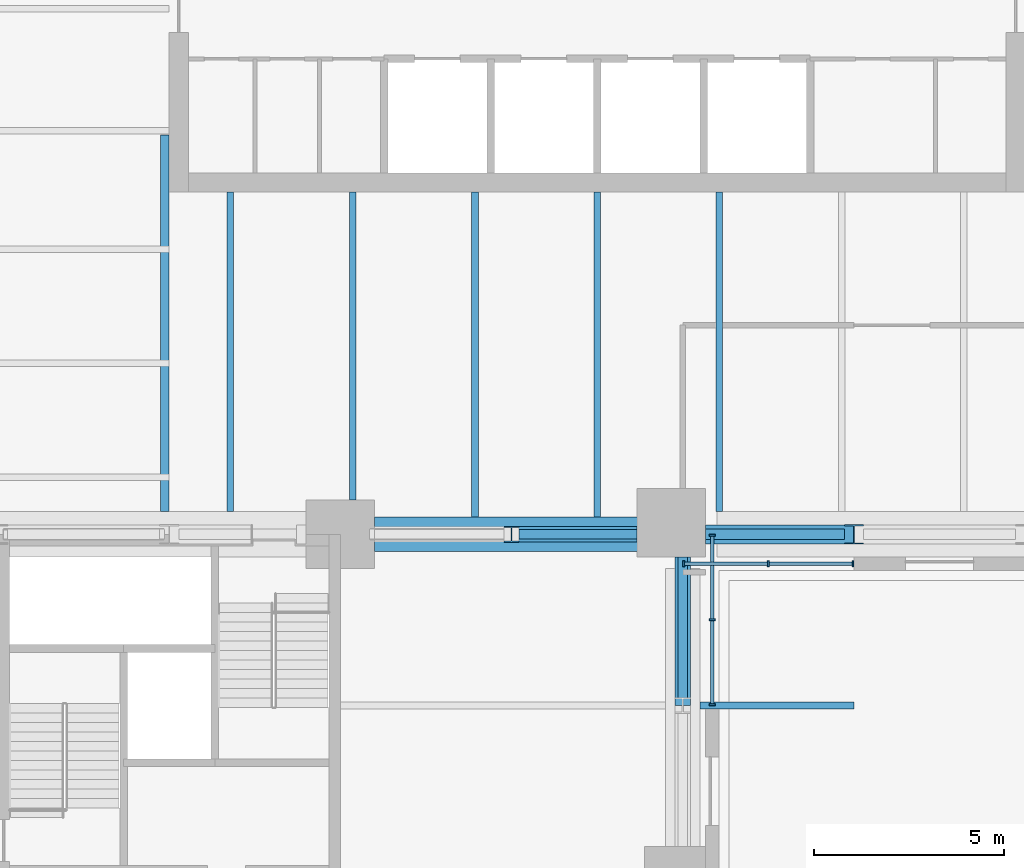
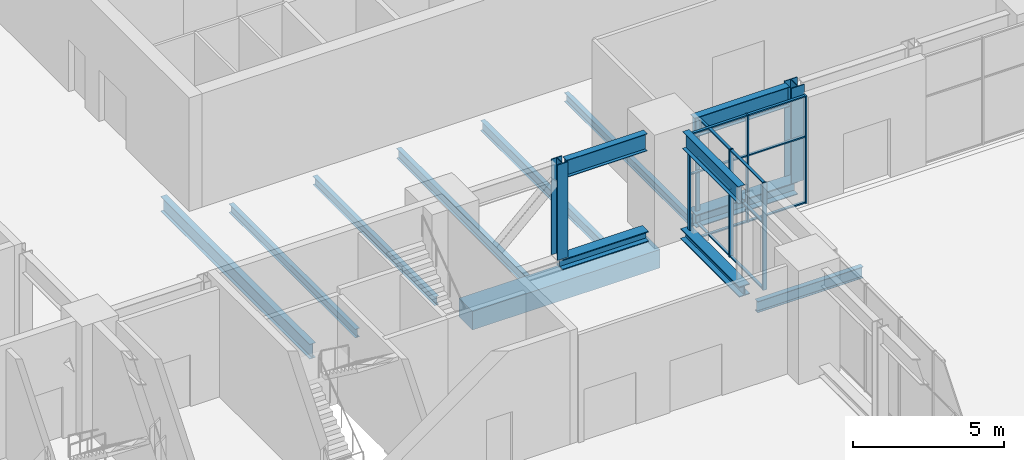
# One storey, part 6 of 21: 23 members, 11 beams, 2 elements without a shape of their own.
"""IFC4 building model written with IfcOpenShell, lengths in metres."""

import ifcopenshell
import ifcopenshell.guid

model = None  # the IFC model being written
_history = None  # IfcOwnerHistory: only IFC2X3 demands one
_inside = {}  # id of a spatial element -> (the spatial element, [elements in it])
_under = {}  # id of a project, library or spatial element -> (it, [spatial elements below it])
_declared = {}  # id of a project -> (the project, [libraries it declares])
_typed = {}  # id of a type object -> (the type object, [elements of that type])
_made_of = {}  # id of a material, layer set ... -> (it, [elements and type objects made of it])


def new_model(schema):
    """Start an empty IFC model of exactly this schema.

    Asked for "IFC4X3", IfcOpenShell would pick the latest addendum, in which some entities
    have other attributes; the version numbers below select the first issue.
    IFC2X3 requires an IfcOwnerHistory on every rooted entity: one is made here for all.
    """
    global model, _history
    if schema == "IFC4X3":
        model = ifcopenshell.file(schema_version=(4, 3, 0, 0))
    else:
        model = ifcopenshell.file(schema=schema)
    _inside.clear()
    _under.clear()
    _declared.clear()
    _typed.clear()
    _made_of.clear()
    _history = None
    if model.schema == "IFC2X3":
        org = make("IfcOrganization", Name="unknown")
        user = make(
            "IfcPersonAndOrganization",
            ThePerson=make("IfcPerson", FamilyName="unknown"),
            TheOrganization=org,
        )
        app = make(
            "IfcApplication",
            ApplicationDeveloper=org,
            Version="unknown",
            ApplicationFullName="unknown",
            ApplicationIdentifier="unknown",
        )
        _history = make(
            "IfcOwnerHistory",
            OwningUser=user,
            OwningApplication=app,
            ChangeAction="ADDED",
            CreationDate=0,
        )
    return model


def make(cls, **values):
    """One entity of the class cls with the attributes given. An attribute that is None is left unset."""
    return model.create_entity(
        cls, **{name: value for name, value in values.items() if value is not None}
    )


def rooted(cls, **values):
    """An entity with a GlobalId (a new one), such as an element, a storey or a relation."""
    return make(cls, GlobalId=ifcopenshell.guid.new(), OwnerHistory=_history, **values)


def si_unit(unit_type, name, prefix=None):
    """IfcSIUnit, for example si_unit("LENGTHUNIT", "METRE", prefix="MILLI")."""
    return make("IfcSIUnit", UnitType=unit_type, Prefix=prefix, Name=name)


def assignment(units):
    """IfcUnitAssignment: the units of a project."""
    return None if units is None else make("IfcUnitAssignment", Units=units)


def point(xyz):
    """IfcCartesianPoint."""
    return None if xyz is None else make("IfcCartesianPoint", Coordinates=xyz)


def direction(xyz):
    """IfcDirection."""
    return None if xyz is None else make("IfcDirection", DirectionRatios=xyz)


def frame(location, z_axis=None, x_axis=None):
    """IfcAxis2Placement3D, a coordinate frame: its origin and axes. An axis left out is left unset."""
    return make(
        "IfcAxis2Placement3D",
        Location=point(location),
        Axis=direction(z_axis),
        RefDirection=direction(x_axis),
    )


def frame_2d(location, x_axis=None):
    """IfcAxis2Placement2D, a coordinate frame in the plane: its origin and x axis."""
    return make(
        "IfcAxis2Placement2D", Location=point(location), RefDirection=direction(x_axis)
    )


def origin():
    """The frame at (0, 0, 0) with its axes left unset."""
    return frame((0.0, 0.0, 0.0))


def origin_2d():
    """The frame at (0, 0) in the plane with its x axis left unset."""
    return frame_2d((0.0, 0.0))


def place(relative_to, where):
    """IfcLocalPlacement: puts the frame where relative to a parent placement (None: the world)."""
    return make(
        "IfcLocalPlacement", PlacementRelTo=relative_to, RelativePlacement=where
    )


def context(
    kind, dimensions, precision=None, world=None, true_north=None, identifier=None
):
    """IfcGeometricRepresentationContext, for example the 3D "Model" context."""
    return make(
        "IfcGeometricRepresentationContext",
        ContextIdentifier=identifier,
        ContextType=kind,
        CoordinateSpaceDimension=dimensions,
        Precision=precision,
        WorldCoordinateSystem=world,
        TrueNorth=true_north,
    )


def subcontext(parent, identifier, kind, view, scale=None):
    """IfcGeometricRepresentationSubContext, for example "Body" below "Model"."""
    return make(
        "IfcGeometricRepresentationSubContext",
        ContextIdentifier=identifier,
        ContextType=kind,
        ParentContext=parent,
        TargetScale=scale,
        TargetView=view,
    )


def project(units=None, contexts=None):
    """IfcProject with its units and contexts."""
    return rooted(
        "IfcProject",
        Name="project",
        RepresentationContexts=contexts,
        UnitsInContext=assignment(units),
    )


def spatial(cls, under=None, at=None, **own):
    """A site, building, storey or space (cls), placed at a placement, below another one or the project."""
    s = rooted(cls, ObjectPlacement=at, **own)
    if under is not None:
        _under.setdefault(under.id(), (under, []))[1].append(s)
    return s


def profile(cls, at=None, kind="AREA", **sizes):
    """A parametric profile (cls). Its sizes go by their IFC names, for example OverallWidth=200.0."""
    return make(cls, ProfileType=kind, Position=at, **sizes)


def rectangle(**sizes):
    """IfcRectangleProfileDef."""
    return profile("IfcRectangleProfileDef", **sizes)


def i_section(**sizes):
    """IfcIShapeProfileDef."""
    return profile("IfcIShapeProfileDef", **sizes)


def extrude(swept, where, along, depth):
    """IfcExtrudedAreaSolid: the profile swept, set in the frame where, extruded along a direction by depth."""
    return make(
        "IfcExtrudedAreaSolid",
        SweptArea=swept,
        Position=where,
        ExtrudedDirection=direction(along),
        Depth=depth,
    )


def shape(context_of_items, identifier, shape_type, items):
    """IfcShapeRepresentation: the items that make up one representation, for example the "Body"."""
    return make(
        "IfcShapeRepresentation",
        ContextOfItems=context_of_items,
        RepresentationIdentifier=identifier,
        RepresentationType=shape_type,
        Items=items,
    )


def material(Name=None, Category=None):
    """IfcMaterial."""
    return make("IfcMaterial", Name=Name, Category=Category)


def constituent(of_material, Name=None, Category=None, fraction=None):
    """IfcMaterialConstituent: one of the materials an element consists of."""
    return make(
        "IfcMaterialConstituent",
        Name=Name,
        Material=of_material,
        Fraction=fraction,
        Category=Category,
    )


def constituent_set(constituents=None, Name=None):
    """IfcMaterialConstituentSet."""
    return make(
        "IfcMaterialConstituentSet", Name=Name, MaterialConstituents=constituents
    )


def material_profile(
    of_material, cross_section, Name=None, Category=None, Priority=None
):
    """IfcMaterialProfile: a cross section and its material."""
    return make(
        "IfcMaterialProfile",
        Name=Name,
        Material=of_material,
        Profile=cross_section,
        Priority=Priority,
        Category=Category,
    )


def profile_set(profiles, Name=None, composite=None):
    """IfcMaterialProfileSet."""
    return make(
        "IfcMaterialProfileSet",
        Name=Name,
        MaterialProfiles=profiles,
        CompositeProfile=composite,
    )


def made_of(thing, what):
    """Note that an element or type object is made of a material, layer set ...; save() writes the relation."""
    if what is not None:
        _made_of.setdefault(what.id(), (what, []))[1].append(thing)
    return thing


def type_object(cls, material=None, **own):
    """A type object (cls), such as IfcWallType, which elements share."""
    return made_of(rooted(cls, **own), material)


def element(
    cls,
    number,
    at=None,
    inside=None,
    cuts=None,
    type_object=None,
    material=None,
    context=None,
    identifier="Body",
    shape_type=None,
    held_by="IfcProductDefinitionShape",
    body=None,
    shapes=None,
    **own,
):
    """One element of the class cls, such as IfcWall. Its Tag is "e" and its number.

    at: its placement. inside: the storey or other place that contains it. cuts: it is an
    opening in that element (IfcRelVoidsElement). A single representation is given by context,
    identifier, shape_type and body (its items); several are given by shapes. held_by: the class
    of the entity that holds the representations. save() writes the other relations.
    """
    e = rooted(cls, Tag="e%d" % number, ObjectPlacement=at, **own)
    if body is not None:
        shapes = [shape(context, identifier, shape_type, body)]
    if shapes is not None:
        e.Representation = make(held_by, Representations=shapes)
    if inside is not None:
        _inside.setdefault(inside.id(), (inside, []))[1].append(e)
    if cuts is not None:
        rooted(
            "IfcRelVoidsElement", RelatingBuildingElement=cuts, RelatedOpeningElement=e
        )
    if type_object is not None:
        _typed.setdefault(type_object.id(), (type_object, []))[1].append(e)
    return made_of(e, material)


def aggregate(whole, parts):
    """IfcRelAggregates: a whole, such as a stair, and the parts it consists of."""
    return rooted("IfcRelAggregates", RelatingObject=whole, RelatedObjects=parts)


def save(model, path):
    """Write the relations noted so far, then the file.

    IfcRelAggregates (storeys below a building ...), IfcRelContainedInSpatialStructure (elements
    in a storey), IfcRelDefinesByType, IfcRelAssociatesMaterial and IfcRelDeclares: one each for
    every whole, place, type object, material and project.
    """
    for whole, parts in _under.values():
        aggregate(whole, parts)
    for where, things in _inside.values():
        rooted(
            "IfcRelContainedInSpatialStructure",
            RelatedElements=things,
            RelatingStructure=where,
        )
    for kind, things in _typed.values():
        rooted("IfcRelDefinesByType", RelatedObjects=things, RelatingType=kind)
    for what, things in _made_of.values():
        rooted("IfcRelAssociatesMaterial", RelatedObjects=things, RelatingMaterial=what)
    for by, libraries in _declared.values():
        rooted("IfcRelDeclares", RelatingContext=by, RelatedDefinitions=libraries)
    model.write(path)


model = new_model("IFC4")

# Units and contexts
model_context = context("Model", 3, precision=1e-05, world=origin(), true_north=direction((0.0, 1.0)))
body_context = subcontext(model_context, "Body", "Model", "MODEL_VIEW")
ifc_project = project(units=[si_unit("LENGTHUNIT", "METRE"), si_unit("AREAUNIT", "SQUARE_METRE"), si_unit("VOLUMEUNIT", "CUBIC_METRE"), si_unit("PLANEANGLEUNIT", "RADIAN"), si_unit("MASSUNIT", "GRAM", prefix="KILO")], contexts=[model_context])

# Site, building, storey
site_placement = place(None, origin())
site = spatial("IfcSite", under=ifc_project, at=site_placement, CompositionType="ELEMENT")
building_placement = place(site_placement, origin())
building = spatial("IfcBuilding", under=site, at=building_placement, Name="Quoin Convention Tower", CompositionType="ELEMENT")
storey_placement = place(building_placement, frame((0.0, 0.0, 18.5)))
storey = spatial("IfcBuildingStorey", under=building, at=storey_placement, Name="L03", CompositionType="ELEMENT", Elevation=18.5)

# Beams
ifc_material_1 = material(Name="Steel Grade 300", Category="steel")
ifc_material_profile_1 = material_profile(ifc_material_1, i_section(OverallWidth=0.1708984375, OverallDepth=0.35205078125, WebThickness=0.0068359375, FlangeThickness=0.009765625, FilletRadius=0.011474609375, at=origin_2d()), Name="360UB44.7")
ifc_profile_set_1 = profile_set([ifc_material_profile_1], Name="Steel Grade 300")
beam_type_1 = type_object("IfcBeamType", Name="360UB44.7", PredefinedType="BEAM", material=ifc_profile_set_1)
beam_1_placement = place(storey_placement, frame((46.607177734375, 41.10009765625, -0.39599609375), z_axis=(0.0, 1.0, 0.0), x_axis=(-1.0, 0.0, 0.0)))
element("IfcBeam", 1, at=beam_1_placement, inside=storey, type_object=beam_type_1, Name="bm-L03-T1S0", PredefinedType="BEAM", context=body_context, shape_type="SweptSolid", body=[
    extrude(i_section(OverallWidth=0.1708984375, OverallDepth=0.35205078125, WebThickness=0.0068359375, FlangeThickness=0.009765625, FilletRadius=0.011474609375, at=origin_2d()), origin(), (0.0, 0.0, 1.0), 8.39990234375),
])
beam_2_placement = place(storey_placement, frame((49.8212890625, 41.39990234375, -0.39599609375), z_axis=(0.0, 1.0, 0.0), x_axis=(-1.0, 0.0, 0.0)))
element("IfcBeam", 2, at=beam_2_placement, inside=storey, type_object=beam_type_1, Name="bm-L03-T1S1", PredefinedType="BEAM", context=body_context, shape_type="SweptSolid", body=[
    extrude(i_section(OverallWidth=0.1708984375, OverallDepth=0.35205078125, WebThickness=0.0068359375, FlangeThickness=0.009765625, FilletRadius=0.011474609375, at=origin_2d()), origin(), (0.0, 0.0, 1.0), 8.10009765625),
])
beam_3_placement = place(storey_placement, frame((59.46435546875, 41.10009765625, -0.39599609375), z_axis=(0.0, 1.0, 0.0), x_axis=(-1.0, 0.0, 0.0)))
element("IfcBeam", 3, at=beam_3_placement, inside=storey, type_object=beam_type_1, Name="bm-L03-T1S4", PredefinedType="BEAM", context=body_context, shape_type="SweptSolid", body=[
    extrude(i_section(OverallWidth=0.1708984375, OverallDepth=0.35205078125, WebThickness=0.0068359375, FlangeThickness=0.009765625, FilletRadius=0.011474609375, at=origin_2d()), origin(), (0.0, 0.0, 1.0), 8.39990234375),
])

# Members
ifc_material_profile_2 = material_profile(ifc_material_1, i_section(OverallWidth=0.39990234375, OverallDepth=0.422119140625, WebThickness=0.028076171875, FlangeThickness=0.035888671875, at=origin_2d()), Name="400WC303")
ifc_profile_set_2 = profile_set([ifc_material_profile_2], Name="Steel Grade 300")
member_type_1 = type_object("IfcMemberType", Name="400WC303", PredefinedType="CHORD", material=ifc_profile_set_2)
member_1_placement = place(storey_placement, frame((58.5, 36.0, 0.257080078125), z_axis=(0.0, 1.0, 0.0), x_axis=(-1.0, 0.0, 0.0)))
element("IfcMember", 4, at=member_1_placement, inside=storey, type_object=member_type_1, Name="Transfer girder L03 bottom chord 58500_36000-58500_40500", PredefinedType="CHORD", context=body_context, shape_type="SweptSolid", body=[
    extrude(i_section(OverallWidth=0.39990234375, OverallDepth=0.422119140625, WebThickness=0.028076171875, FlangeThickness=0.035888671875, at=origin_2d()), origin(), (0.0, 0.0, 1.0), 3.89990234375),
])
member_2_placement = place(storey_placement, frame((54.0, 40.5, 0.257080078125), z_axis=(1.0, 0.0, 0.0), x_axis=(0.0, 1.0, 0.0)))
element("IfcMember", 5, at=member_2_placement, inside=storey, type_object=member_type_1, Name="Transfer truss L03 bottom chord 54000_40500-58500_40500", PredefinedType="CHORD", context=body_context, shape_type="SweptSolid", body=[
    extrude(i_section(OverallWidth=0.39990234375, OverallDepth=0.422119140625, WebThickness=0.028076171875, FlangeThickness=0.035888671875, at=origin_2d()), origin(), (0.0, 0.0, 1.0), 3.300048828125),
])
ifc_material_profile_3 = material_profile(ifc_material_1, i_section(OverallWidth=0.39990234375, OverallDepth=0.422119140625, WebThickness=0.028076171875, FlangeThickness=0.035888671875, at=origin_2d()), Name="400WC303")
ifc_profile_set_3 = profile_set([ifc_material_profile_3], Name="Steel Grade 300")
member_type_2 = type_object("IfcMemberType", Name="400WC303 transfer post", PredefinedType="POST", material=ifc_profile_set_3)
member_3_placement = place(storey_placement, frame((54.0, 40.5, 0.513916015625), z_axis=(0.0, 0.0, 1.0), x_axis=(1.0, 0.0, 0.0)))
element("IfcMember", 6, at=member_3_placement, inside=storey, type_object=member_type_2, Name="Transfer truss L03 post 54000_40500", PredefinedType="POST", context=body_context, shape_type="SweptSolid", body=[
    extrude(i_section(OverallWidth=0.39990234375, OverallDepth=0.422119140625, WebThickness=0.028076171875, FlangeThickness=0.035888671875, at=origin_2d()), origin(), (0.0, 0.0, 1.0), 3.865966796875),
])

# Beams
ifc_material_profile_4 = material_profile(ifc_material_1, i_section(OverallWidth=0.177978515625, OverallDepth=0.403076171875, WebThickness=0.007568359375, FlangeThickness=0.010986328125, FilletRadius=0.011474609375, at=origin_2d()), Name="410UB53.7")
ifc_profile_set_4 = profile_set([ifc_material_profile_4], Name="Steel Grade 300")
beam_type_2 = type_object("IfcBeamType", Name="410UB53.7", PredefinedType="BEAM", material=ifc_profile_set_4)
for number, where, z_axis, x_axis, name in (
    (7, (53.03564453125, 40.949951171875, -0.42138671875), (0.0, 1.0, 0.0), (-1.0, 0.0, 0.0), "bm-L03-T1S2"),
    (8, (56.25, 40.949951171875, -0.42138671875), (0.0, 1.0, 0.0), (-1.0, 0.0, 0.0), "bm-L03-T1S3"),
):
    element("IfcBeam", number, at=place(storey_placement, frame(where, z_axis=z_axis, x_axis=x_axis)), inside=storey, type_object=beam_type_2, Name=name, PredefinedType="BEAM", context=body_context, shape_type="SweptSolid", body=[
        extrude(i_section(OverallWidth=0.177978515625, OverallDepth=0.403076171875, WebThickness=0.007568359375, FlangeThickness=0.010986328125, FilletRadius=0.011474609375, at=origin_2d()), origin(), (0.0, 0.0, 1.0), 8.550048828125),
    ])
ifc_material_profile_5 = material_profile(ifc_material_1, i_section(OverallWidth=0.18994140625, OverallDepth=0.4541015625, WebThickness=0.008544921875, FlangeThickness=0.0126953125, FilletRadius=0.011474609375, at=origin_2d()), Name="460UB67.1")
ifc_profile_set_5 = profile_set([ifc_material_profile_5], Name="Steel Grade 300")
beam_type_3 = type_object("IfcBeamType", Name="460UB67.1", PredefinedType="BEAM", material=ifc_profile_set_5)
beam_4_placement = place(storey_placement, frame((58.949951171875, 36.0, -0.527099609375), z_axis=(1.0, 0.0, 0.0), x_axis=(0.0, 1.0, 0.0)))
element("IfcBeam", 9, at=beam_4_placement, inside=storey, type_object=beam_type_3, Name="gir-L03-RT5-4-0", PredefinedType="BEAM", context=body_context, shape_type="SweptSolid", body=[
    extrude(i_section(OverallWidth=0.18994140625, OverallDepth=0.4541015625, WebThickness=0.008544921875, FlangeThickness=0.0126953125, FilletRadius=0.011474609375, at=origin_2d()), origin(), (0.0, 0.0, 1.0), 4.050048828125),
])

# Members
ifc_material_profile_6 = material_profile(ifc_material_1, i_section(OverallWidth=0.5, OverallDepth=0.513916015625, WebThickness=0.02490234375, FlangeThickness=0.031982421875, at=origin_2d()), Name="500WC340")
ifc_profile_set_6 = profile_set([ifc_material_profile_6], Name="Steel Grade 300")
member_type_3 = type_object("IfcMemberType", Name="500WC340", PredefinedType="CHORD", material=ifc_profile_set_6)
member_4_placement = place(storey_placement, frame((59.10009765625, 40.5, 0.257080078125), z_axis=(1.0, 0.0, 0.0), x_axis=(0.0, 1.0, 0.0)))
element("IfcMember", 10, at=member_4_placement, inside=storey, type_object=member_type_3, Name="Transfer girder L03 bottom chord 58500_40500-63000_40500", PredefinedType="CHORD", context=body_context, shape_type="SweptSolid", body=[
    extrude(i_section(OverallWidth=0.5, OverallDepth=0.513916015625, WebThickness=0.02490234375, FlangeThickness=0.031982421875, at=origin_2d()), origin(), (0.0, 0.0, 1.0), 3.89990234375),
])
ifc_material_profile_7 = material_profile(ifc_material_1, i_section(OverallWidth=0.5, OverallDepth=0.513916015625, WebThickness=0.02490234375, FlangeThickness=0.031982421875, at=origin_2d()), Name="500WC340")
ifc_profile_set_7 = profile_set([ifc_material_profile_7], Name="Steel Grade 300")
member_type_4 = type_object("IfcMemberType", Name="500WC340 transfer post", PredefinedType="POST", material=ifc_profile_set_7)
member_5_placement = place(storey_placement, frame((63.0, 40.5, 0.513916015625), z_axis=(0.0, 0.0, 1.0), x_axis=(1.0, 0.0, 0.0)))
element("IfcMember", 11, at=member_5_placement, inside=storey, type_object=member_type_4, Name="Transfer girder L03 post 63000_40500", PredefinedType="POST", context=body_context, shape_type="SweptSolid", body=[
    extrude(i_section(OverallWidth=0.5, OverallDepth=0.513916015625, WebThickness=0.02490234375, FlangeThickness=0.031982421875, at=origin_2d()), origin(), (0.0, 0.0, 1.0), 3.865966796875),
])

# Beams
ifc_material_profile_8 = material_profile(ifc_material_1, i_section(OverallWidth=0.22802734375, OverallDepth=0.60205078125, WebThickness=0.010498046875, FlangeThickness=0.014892578125, FilletRadius=0.013916015625, at=origin_2d()), Name="610UB101")
ifc_profile_set_8 = profile_set([ifc_material_profile_8], Name="Steel Grade 300")
beam_type_4 = type_object("IfcBeamType", Name="610UB101", PredefinedType="BEAM", material=ifc_profile_set_8)
beam_5_placement = place(storey_placement, frame((44.885986328125, 41.10009765625, -0.52099609375), z_axis=(0.0, 1.0, 0.0), x_axis=(-1.0, 0.0, 0.0)))
element("IfcBeam", 12, at=beam_5_placement, inside=storey, type_object=beam_type_4, Name="gir-L03-T1SW", PredefinedType="BEAM", context=body_context, shape_type="SweptSolid", body=[
    extrude(i_section(OverallWidth=0.22802734375, OverallDepth=0.60205078125, WebThickness=0.010498046875, FlangeThickness=0.014892578125, FilletRadius=0.013916015625, at=origin_2d()), origin(), (0.0, 0.0, 1.0), 9.902587890625),
])
ifc_material_profile_9 = material_profile(ifc_material_1, i_section(OverallWidth=0.25, OverallDepth=0.699951171875, WebThickness=0.010009765625, FlangeThickness=0.02001953125, at=origin_2d()), Name="700WB130")
ifc_profile_set_9 = profile_set([ifc_material_profile_9], Name="Steel Grade 300")
beam_type_5 = type_object("IfcBeamType", Name="700WB130", PredefinedType="BEAM", material=ifc_profile_set_9)
beam_6_placement = place(storey_placement, frame((58.5, 36.199951171875, 4.030029296875), z_axis=(0.0, 1.0, 0.0), x_axis=(-1.0, 0.0, 0.0)))
element("IfcBeam", 13, at=beam_6_placement, inside=storey, type_object=beam_type_5, Name="Transfer girder L03 top chord 58500_36000-58500_40500", PredefinedType="BEAM", context=body_context, shape_type="SweptSolid", body=[
    extrude(i_section(OverallWidth=0.25, OverallDepth=0.699951171875, WebThickness=0.010009765625, FlangeThickness=0.02001953125, at=origin_2d()), origin(), (0.0, 0.0, 1.0), 3.699951171875),
])
beam_7_placement = place(storey_placement, frame((54.199951171875, 40.5, 4.030029296875), z_axis=(1.0, 0.0, 0.0), x_axis=(0.0, 1.0, 0.0)))
element("IfcBeam", 14, at=beam_7_placement, inside=storey, type_object=beam_type_5, Name="Transfer truss L03 top chord 54000_40500-58500_40500", PredefinedType="BEAM", context=body_context, shape_type="SweptSolid", body=[
    extrude(i_section(OverallWidth=0.25, OverallDepth=0.699951171875, WebThickness=0.010009765625, FlangeThickness=0.02001953125, at=origin_2d()), origin(), (0.0, 0.0, 1.0), 3.10009765625),
])
ifc_material_profile_10 = material_profile(ifc_material_1, i_section(OverallWidth=0.27490234375, OverallDepth=0.800048828125, WebThickness=0.010009765625, FlangeThickness=0.02001953125, at=origin_2d()), Name="800WB146")
ifc_profile_set_10 = profile_set([ifc_material_profile_10], Name="Steel Grade 300")
beam_type_6 = type_object("IfcBeamType", Name="800WB146", PredefinedType="BEAM", material=ifc_profile_set_10)
beam_8_placement = place(storey_placement, frame((59.10009765625, 40.5, 3.97998046875), z_axis=(1.0, 0.0, 0.0), x_axis=(0.0, 1.0, 0.0)))
element("IfcBeam", 15, at=beam_8_placement, inside=storey, type_object=beam_type_6, Name="Transfer girder L03 top chord 58500_40500-63000_40500", PredefinedType="BEAM", context=body_context, shape_type="SweptSolid", body=[
    extrude(i_section(OverallWidth=0.27490234375, OverallDepth=0.800048828125, WebThickness=0.010009765625, FlangeThickness=0.02001953125, at=origin_2d()), origin(), (0.0, 0.0, 1.0), 3.64990234375),
])
ifc_material_2 = material(Name="Concrete C80", Category="concrete")
ifc_material_profile_11 = material_profile(ifc_material_2, rectangle(XDim=0.89990234375, YDim=0.75, at=origin_2d()), Name="RC 900x750")
ifc_profile_set_11 = profile_set([ifc_material_profile_11], Name="Concrete C80")
beam_type_7 = type_object("IfcBeamType", Name="RC 900x750 C80", PredefinedType="SPANDREL", material=ifc_profile_set_11)
beam_9_placement = place(storey_placement, frame((50.39990234375, 40.5, -0.594970703125), z_axis=(1.0, 0.0, 0.0), x_axis=(0.0, 1.0, 0.0)))
element("IfcBeam", 16, at=beam_9_placement, inside=storey, type_object=beam_type_7, Name="spd-L03-49500_40500-58500_40500", PredefinedType="SPANDREL", context=body_context, shape_type="SweptSolid", body=[
    extrude(rectangle(XDim=0.89990234375, YDim=0.75, at=origin_2d()), origin(), (0.0, 0.0, 1.0), 7.2001953125),
])

# Curtain wall, members
ifc_material_3 = material(Name="Aluminium", Category="aluminium")
ifc_constituent_1 = constituent(ifc_material_3, Name="Frame")
ifc_material_4 = material(Name="Insulated glass", Category="glass")
ifc_constituent_2 = constituent(ifc_material_4, Name="Glazing")
ifc_constituent_set = constituent_set(constituents=[ifc_constituent_1, ifc_constituent_2], Name="Aluminium")
curtain_wall_type = type_object("IfcCurtainWallType", Name="Sky lobby glazing system", PredefinedType="NOTDEFINED", material=ifc_constituent_set)
curtain_wall_1_placement = place(storey_placement, origin())
curtain_wall_1 = element("IfcCurtainWall", 17, at=curtain_wall_1_placement, inside=storey, type_object=curtain_wall_type, Name="cw-SKY-L03-59275_36000", PredefinedType="NOTDEFINED")
ifc_material_profile_12 = material_profile(ifc_material_3, rectangle(XDim=0.14990234375, YDim=0.050048828125, at=origin_2d()), Name="Sky lobby glazing mullion 50x150")
ifc_profile_set_12 = profile_set([ifc_material_profile_12], Name="Aluminium")
member_type_5 = type_object("IfcMemberType", Name="Sky lobby glazing mullion 50x150", PredefinedType="MULLION", material=ifc_profile_set_12)
member_6_placement = place(storey_placement, frame((59.27490234375, 36.02490234375, 0.0), z_axis=(0.0, 0.0, 1.0), x_axis=(-1.0, 0.0, 0.0)))
member_6 = element("IfcMember", 18, at=member_6_placement, type_object=member_type_5, Name="CW3 mullion 1", PredefinedType="MULLION", context=body_context, shape_type="SweptSolid", body=[
    extrude(rectangle(XDim=0.14990234375, YDim=0.050048828125, at=origin_2d()), origin(), (0.0, 0.0, 1.0), 4.35498046875),
])
member_7_placement = place(storey_placement, frame((59.27490234375, 38.25, 0.0), z_axis=(0.0, 0.0, 1.0), x_axis=(-1.0, 0.0, 0.0)))
member_7 = element("IfcMember", 19, at=member_7_placement, type_object=member_type_5, Name="CW3 mullion 2", PredefinedType="MULLION", context=body_context, shape_type="SweptSolid", body=[
    extrude(rectangle(XDim=0.14990234375, YDim=0.050048828125, at=origin_2d()), origin(), (0.0, 0.0, 1.0), 4.35498046875),
])
member_8_placement = place(storey_placement, frame((59.27490234375, 40.47509765625, 0.0), z_axis=(0.0, 0.0, 1.0), x_axis=(-1.0, 0.0, 0.0)))
member_8 = element("IfcMember", 20, at=member_8_placement, type_object=member_type_5, Name="CW3 mullion 3", PredefinedType="MULLION", context=body_context, shape_type="SweptSolid", body=[
    extrude(rectangle(XDim=0.14990234375, YDim=0.050048828125, at=origin_2d()), origin(), (0.0, 0.0, 1.0), 4.35498046875),
])

curtain_wall_2_placement = place(storey_placement, origin())
curtain_wall_2 = element("IfcCurtainWall", 21, at=curtain_wall_2_placement, inside=storey, type_object=curtain_wall_type, Name="cw-SKY-L03-58500_39725", PredefinedType="NOTDEFINED")
member_9_placement = place(storey_placement, frame((58.52490234375, 39.72509765625, 0.0), z_axis=(0.0, 0.0, 1.0), x_axis=(0.0, 1.0, 0.0)))
member_9 = element("IfcMember", 22, at=member_9_placement, type_object=member_type_5, Name="CW3 mullion 1", PredefinedType="MULLION", context=body_context, shape_type="SweptSolid", body=[
    extrude(rectangle(XDim=0.14990234375, YDim=0.050048828125, at=origin_2d()), origin(), (0.0, 0.0, 1.0), 4.35498046875),
])
member_10_placement = place(storey_placement, frame((60.75, 39.72509765625, 0.0), z_axis=(0.0, 0.0, 1.0), x_axis=(0.0, 1.0, 0.0)))
member_10 = element("IfcMember", 23, at=member_10_placement, type_object=member_type_5, Name="CW3 mullion 2", PredefinedType="MULLION", context=body_context, shape_type="SweptSolid", body=[
    extrude(rectangle(XDim=0.14990234375, YDim=0.050048828125, at=origin_2d()), origin(), (0.0, 0.0, 1.0), 4.35498046875),
])
member_11_placement = place(storey_placement, frame((62.97509765625, 39.72509765625, 0.0), z_axis=(0.0, 0.0, 1.0), x_axis=(0.0, 1.0, 0.0)))
member_11 = element("IfcMember", 24, at=member_11_placement, type_object=member_type_5, Name="CW3 mullion 3", PredefinedType="MULLION", context=body_context, shape_type="SweptSolid", body=[
    extrude(rectangle(XDim=0.14990234375, YDim=0.050048828125, at=origin_2d()), origin(), (0.0, 0.0, 1.0), 4.35498046875),
])

# Member
ifc_material_profile_13 = material_profile(ifc_material_3, rectangle(XDim=0.10009765625, YDim=0.050048828125, at=origin_2d()), Name="Sky lobby glazing transom 50x100")
ifc_profile_set_13 = profile_set([ifc_material_profile_13], Name="Aluminium")
member_type_6 = type_object("IfcMemberType", Name="Sky lobby glazing transom 50x100", PredefinedType="USERDEFINED", material=ifc_profile_set_13)
member_12_placement = place(storey_placement, frame((59.27490234375, 36.050048828125, 0.02490234375), z_axis=(0.0, 1.0, 0.0), x_axis=(-1.0, 0.0, 0.0)))
member_12 = element("IfcMember", 25, at=member_12_placement, type_object=member_type_6, Name="CW3 transom 1.1", ObjectType="TRANSOM", PredefinedType="USERDEFINED", context=body_context, shape_type="SweptSolid", body=[
    extrude(rectangle(XDim=0.10009765625, YDim=0.050048828125, at=origin_2d()), origin(), (0.0, 0.0, 1.0), 2.175048828125),
])

member_13_placement = place(storey_placement, frame((59.27490234375, 36.050048828125, 2.699951171875), z_axis=(0.0, 1.0, 0.0), x_axis=(-1.0, 0.0, 0.0)))
member_13 = element("IfcMember", 26, at=member_13_placement, type_object=member_type_6, Name="CW3 transom 1.2", ObjectType="TRANSOM", PredefinedType="USERDEFINED", context=body_context, shape_type="SweptSolid", body=[
    extrude(rectangle(XDim=0.10009765625, YDim=0.050048828125, at=origin_2d()), origin(), (0.0, 0.0, 1.0), 2.175048828125),
])

member_14_placement = place(storey_placement, frame((59.27490234375, 36.050048828125, 4.330078125), z_axis=(0.0, 1.0, 0.0), x_axis=(-1.0, 0.0, 0.0)))
member_14 = element("IfcMember", 27, at=member_14_placement, type_object=member_type_6, Name="CW3 transom 1.3", ObjectType="TRANSOM", PredefinedType="USERDEFINED", context=body_context, shape_type="SweptSolid", body=[
    extrude(rectangle(XDim=0.10009765625, YDim=0.050048828125, at=origin_2d()), origin(), (0.0, 0.0, 1.0), 2.175048828125),
])

member_15_placement = place(storey_placement, frame((59.27490234375, 38.27490234375, 0.02490234375), z_axis=(0.0, 1.0, 0.0), x_axis=(-1.0, 0.0, 0.0)))
member_15 = element("IfcMember", 28, at=member_15_placement, type_object=member_type_6, Name="CW3 transom 2.1", ObjectType="TRANSOM", PredefinedType="USERDEFINED", context=body_context, shape_type="SweptSolid", body=[
    extrude(rectangle(XDim=0.10009765625, YDim=0.050048828125, at=origin_2d()), origin(), (0.0, 0.0, 1.0), 2.175048828125),
])

member_16_placement = place(storey_placement, frame((59.27490234375, 38.27490234375, 2.699951171875), z_axis=(0.0, 1.0, 0.0), x_axis=(-1.0, 0.0, 0.0)))
member_16 = element("IfcMember", 29, at=member_16_placement, type_object=member_type_6, Name="CW3 transom 2.2", ObjectType="TRANSOM", PredefinedType="USERDEFINED", context=body_context, shape_type="SweptSolid", body=[
    extrude(rectangle(XDim=0.10009765625, YDim=0.050048828125, at=origin_2d()), origin(), (0.0, 0.0, 1.0), 2.175048828125),
])

member_17_placement = place(storey_placement, frame((59.27490234375, 38.27490234375, 4.330078125), z_axis=(0.0, 1.0, 0.0), x_axis=(-1.0, 0.0, 0.0)))
member_17 = element("IfcMember", 30, at=member_17_placement, type_object=member_type_6, Name="CW3 transom 2.3", ObjectType="TRANSOM", PredefinedType="USERDEFINED", context=body_context, shape_type="SweptSolid", body=[
    extrude(rectangle(XDim=0.10009765625, YDim=0.050048828125, at=origin_2d()), origin(), (0.0, 0.0, 1.0), 2.175048828125),
])

aggregate(curtain_wall_1, [member_6, member_7, member_8, member_12, member_13, member_14, member_15, member_16, member_17])

member_18_placement = place(storey_placement, frame((58.550048828125, 39.72509765625, 0.02490234375), z_axis=(1.0, 0.0, 0.0), x_axis=(0.0, 1.0, 0.0)))
member_18 = element("IfcMember", 31, at=member_18_placement, type_object=member_type_6, Name="CW3 transom 1.1", ObjectType="TRANSOM", PredefinedType="USERDEFINED", context=body_context, shape_type="SweptSolid", body=[
    extrude(rectangle(XDim=0.10009765625, YDim=0.050048828125, at=origin_2d()), origin(), (0.0, 0.0, 1.0), 2.175048828125),
])

member_19_placement = place(storey_placement, frame((58.550048828125, 39.72509765625, 2.699951171875), z_axis=(1.0, 0.0, 0.0), x_axis=(0.0, 1.0, 0.0)))
member_19 = element("IfcMember", 32, at=member_19_placement, type_object=member_type_6, Name="CW3 transom 1.2", ObjectType="TRANSOM", PredefinedType="USERDEFINED", context=body_context, shape_type="SweptSolid", body=[
    extrude(rectangle(XDim=0.10009765625, YDim=0.050048828125, at=origin_2d()), origin(), (0.0, 0.0, 1.0), 2.175048828125),
])

member_20_placement = place(storey_placement, frame((58.550048828125, 39.72509765625, 4.330078125), z_axis=(1.0, 0.0, 0.0), x_axis=(0.0, 1.0, 0.0)))
member_20 = element("IfcMember", 33, at=member_20_placement, type_object=member_type_6, Name="CW3 transom 1.3", ObjectType="TRANSOM", PredefinedType="USERDEFINED", context=body_context, shape_type="SweptSolid", body=[
    extrude(rectangle(XDim=0.10009765625, YDim=0.050048828125, at=origin_2d()), origin(), (0.0, 0.0, 1.0), 2.175048828125),
])

member_21_placement = place(storey_placement, frame((60.77490234375, 39.72509765625, 0.02490234375), z_axis=(1.0, 0.0, 0.0), x_axis=(0.0, 1.0, 0.0)))
member_21 = element("IfcMember", 34, at=member_21_placement, type_object=member_type_6, Name="CW3 transom 2.1", ObjectType="TRANSOM", PredefinedType="USERDEFINED", context=body_context, shape_type="SweptSolid", body=[
    extrude(rectangle(XDim=0.10009765625, YDim=0.050048828125, at=origin_2d()), origin(), (0.0, 0.0, 1.0), 2.175048828125),
])

member_22_placement = place(storey_placement, frame((60.77490234375, 39.72509765625, 2.699951171875), z_axis=(1.0, 0.0, 0.0), x_axis=(0.0, 1.0, 0.0)))
member_22 = element("IfcMember", 35, at=member_22_placement, type_object=member_type_6, Name="CW3 transom 2.2", ObjectType="TRANSOM", PredefinedType="USERDEFINED", context=body_context, shape_type="SweptSolid", body=[
    extrude(rectangle(XDim=0.10009765625, YDim=0.050048828125, at=origin_2d()), origin(), (0.0, 0.0, 1.0), 2.175048828125),
])

member_23_placement = place(storey_placement, frame((60.77490234375, 39.72509765625, 4.330078125), z_axis=(1.0, 0.0, 0.0), x_axis=(0.0, 1.0, 0.0)))
member_23 = element("IfcMember", 36, at=member_23_placement, type_object=member_type_6, Name="CW3 transom 2.3", ObjectType="TRANSOM", PredefinedType="USERDEFINED", context=body_context, shape_type="SweptSolid", body=[
    extrude(rectangle(XDim=0.10009765625, YDim=0.050048828125, at=origin_2d()), origin(), (0.0, 0.0, 1.0), 2.175048828125),
])

aggregate(curtain_wall_2, [member_9, member_10, member_11, member_18, member_19, member_20, member_21, member_22, member_23])

save(model, "model.ifc")
